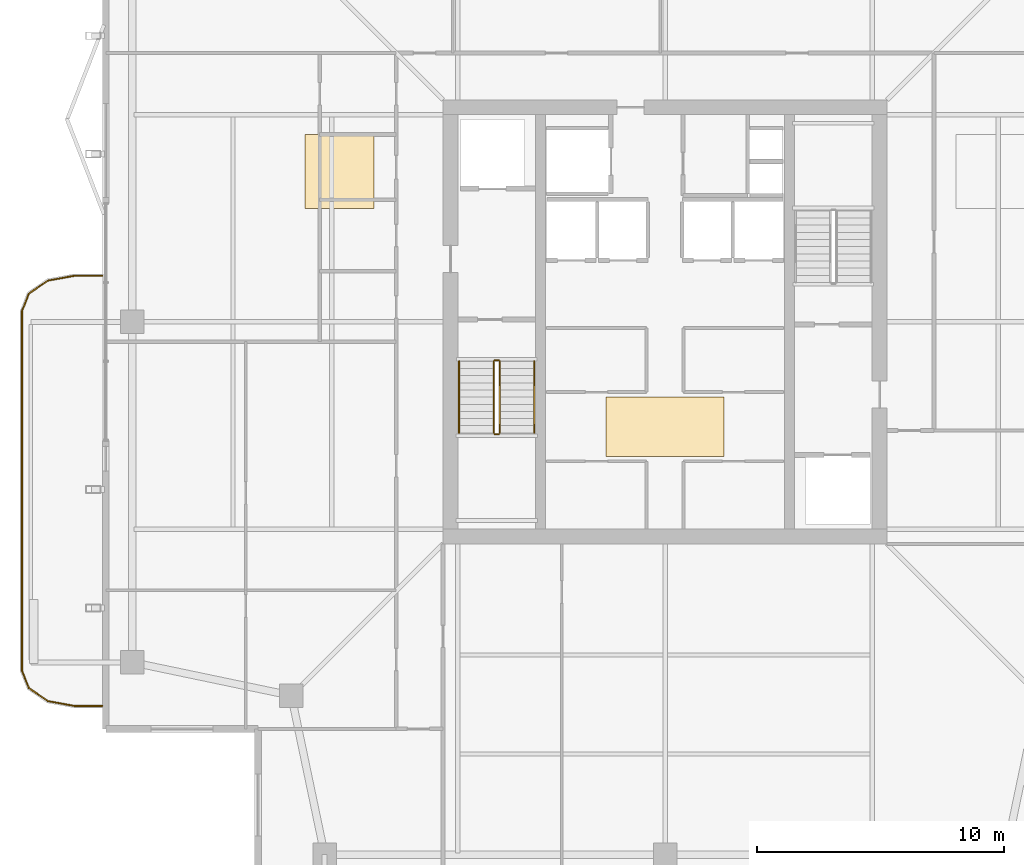
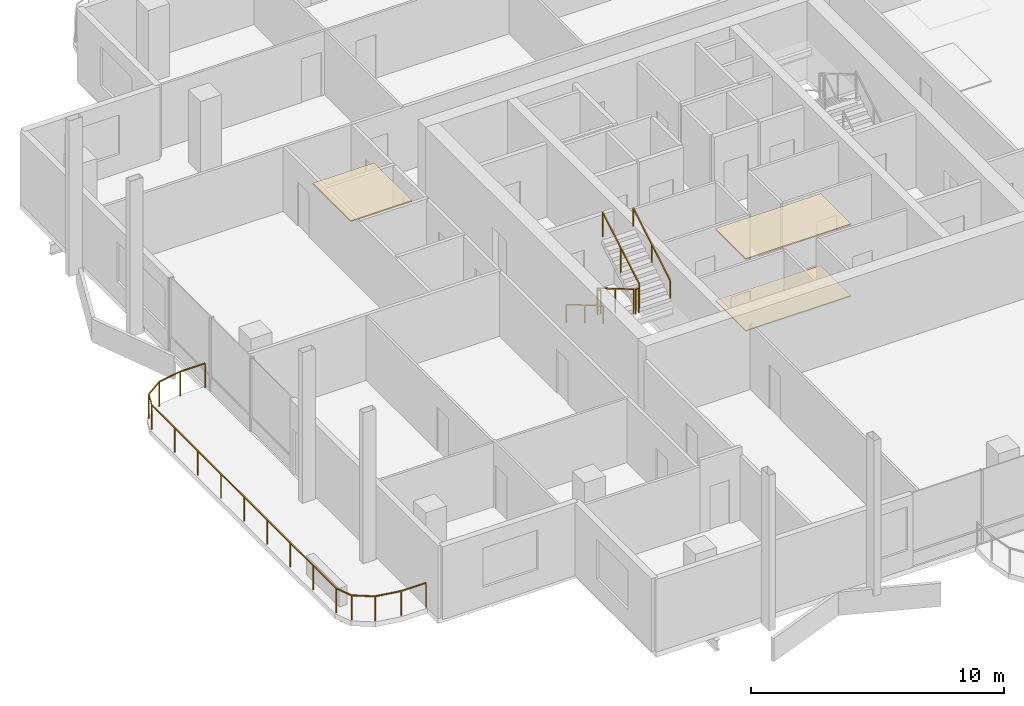
# One storey, part 18 of 20: 7 railings, 3 coverings.
"""IFC4 building model written with IfcOpenShell, lengths in metres."""

from ifc_helpers import new_model, si_unit, direction, frame, origin, origin_2d, place, context, subcontext, project, spatial, polyline, rectangle, outline, extrude, material, layer, layer_set, type_object, element, save


model = new_model("IFC4")

# Units and contexts
model_context = context("Model", 3, precision=1e-05, world=origin(), true_north=direction((0.0, 1.0)))
body_context = subcontext(model_context, "Body", "Model", "MODEL_VIEW")
ifc_project = project(units=[si_unit("LENGTHUNIT", "METRE"), si_unit("AREAUNIT", "SQUARE_METRE"), si_unit("VOLUMEUNIT", "CUBIC_METRE"), si_unit("PLANEANGLEUNIT", "RADIAN"), si_unit("MASSUNIT", "GRAM", prefix="KILO")], contexts=[model_context])

# Site, building, storey
site_placement = place(None, origin())
site = spatial("IfcSite", under=ifc_project, at=site_placement, CompositionType="ELEMENT")
building_placement = place(site_placement, origin())
building = spatial("IfcBuilding", under=site, at=building_placement, Name="Belovzor Exchange Tower", CompositionType="ELEMENT")
storey_placement = place(building_placement, frame((0.0, 0.0, 299.25)))
storey = spatial("IfcBuildingStorey", under=building, at=storey_placement, Name="L74", CompositionType="ELEMENT", Elevation=299.25)

# Railings
ifc_material_1 = material(Name="Stainless Steel Grade 304", Category="steel")
railing_type_1 = type_object("IfcRailingType", Name="Brushed Stainless Steel Stair Handrail 900", PredefinedType="HANDRAIL", material=ifc_material_1)
railing_1_placement = place(storey_placement, frame((20.449951171875, 27.199951171875, 0.17041015625)))
element("IfcRailing", 1, at=railing_1_placement, inside=storey, type_object=railing_type_1, Name="L74 ST-1 stair handrail 1", PredefinedType="HANDRAIL", context=body_context, shape_type="SweptSolid", body=[
    extrude(rectangle(XDim=0.048095703125, YDim=0.048095703125, at=origin_2d()), frame((0.0, 0.0, 0.8759765625), z_axis=(0.0, -0.86209462966, 0.506747323142), x_axis=(1.0, 0.0, 0.0)), (0.0, 0.0, 1.0), 3.36376953125),
    extrude(rectangle(XDim=0.0419921875, YDim=0.0419921875, at=origin_2d()), origin(), (0.0, 0.0, 1.0), 0.851806640625),
    extrude(rectangle(XDim=0.0419921875, YDim=0.0419921875, at=origin_2d()), frame((0.0, -1.449951171875, 0.852294921875)), (0.0, 0.0, 1.0), 0.851806640625),
    extrude(rectangle(XDim=0.0419921875, YDim=0.0419921875, at=origin_2d()), frame((0.0, -2.89990234375, 1.70458984375)), (0.0, 0.0, 1.0), 0.851806640625),
])
railing_2_placement = place(storey_placement, frame((23.5, 24.300048828125, 2.04541015625)))
element("IfcRailing", 2, at=railing_2_placement, inside=storey, type_object=railing_type_1, Name="L74 ST-1 stair handrail 2", PredefinedType="HANDRAIL", context=body_context, shape_type="SweptSolid", body=[
    extrude(rectangle(XDim=0.048095703125, YDim=0.048095703125, at=origin_2d()), frame((0.0, 0.0, 0.8759765625), z_axis=(0.0, 0.86209462966, 0.506747323142), x_axis=(-1.0, 0.0, 0.0)), (0.0, 0.0, 1.0), 3.36376953125),
    extrude(rectangle(XDim=0.0419921875, YDim=0.0419921875, at=origin_2d()), origin(), (0.0, 0.0, 1.0), 0.851806640625),
    extrude(rectangle(XDim=0.0419921875, YDim=0.0419921875, at=origin_2d()), frame((0.0, 1.449951171875, 0.852294921875)), (0.0, 0.0, 1.0), 0.851806640625),
    extrude(rectangle(XDim=0.0419921875, YDim=0.0419921875, at=origin_2d()), frame((0.0, 2.89990234375, 1.70458984375)), (0.0, 0.0, 1.0), 0.851806640625),
])
ifc_material_2 = material(Name="Stainless Steel and Laminated Safety Glass", Category="steel")
railing_type_2 = type_object("IfcRailingType", Name="Laminated Glass & Stainless Steel Balcony Balustrade 1200", PredefinedType="BALUSTRADE", material=ifc_material_2)
railing_3_placement = place(storey_placement, frame((5.989990234375, 30.669921875, 0.0)))
element("IfcRailing", 3, at=railing_3_placement, inside=storey, type_object=railing_type_2, Name="GR-1 Balcony Balustrade L74 West", PredefinedType="BALUSTRADE", context=body_context, shape_type="SweptSolid", body=[
    extrude(rectangle(XDim=0.048095703125, YDim=0.048095703125, at=origin_2d()), frame((0.0, 0.0, 1.17578125), z_axis=(-1.0, 0.0, 0.0), x_axis=(0.0, -1.0, 0.0)), (0.0, 0.0, 1.0), 1.133056640625),
    extrude(rectangle(XDim=0.048095703125, YDim=0.048095703125, at=origin_2d()), frame((-1.133056640625, 0.0, 1.17578125), z_axis=(-0.983644145941, -0.180122719713, 0.0), x_axis=(0.180122719713, -0.983644145941, 0.0)), (0.0, 0.0, 1.0), 1.09375),
    extrude(rectangle(XDim=0.048095703125, YDim=0.048095703125, at=origin_2d()), frame((-2.208984375, -0.197021484375, 1.17578125), z_axis=(-0.826614792125, -0.562768145367, 0.0), x_axis=(0.562768145367, -0.826614792125, 0.0)), (0.0, 0.0, 1.0), 0.9326171875),
    extrude(rectangle(XDim=0.048095703125, YDim=0.048095703125, at=origin_2d()), frame((-2.97998046875, -0.721923828125, 1.17578125), z_axis=(-0.365612923861, -0.930766990125, 0.0), x_axis=(0.930766990125, -0.365612923861, 0.0)), (0.0, 0.0, 1.0), 0.765869140625),
    extrude(rectangle(XDim=0.048095703125, YDim=0.048095703125, at=origin_2d()), frame((-3.260009765625, -1.434814453125, 1.17578125), z_axis=(0.0, -1.0, 0.0), x_axis=(1.0, 0.0, 0.0)), (0.0, 0.0, 1.0), 14.570068359375),
    extrude(rectangle(XDim=0.048095703125, YDim=0.048095703125, at=origin_2d()), frame((-3.260009765625, -16.0048828125, 1.17578125), z_axis=(0.365504480807, -0.930809580156, 0.0), x_axis=(0.930809580156, 0.365504480807, 0.0)), (0.0, 0.0, 1.0), 0.76611328125),
    extrude(rectangle(XDim=0.048095703125, YDim=0.048095703125, at=origin_2d()), frame((-2.97998046875, -16.718017578125, 1.17578125), z_axis=(0.826614792125, -0.562768145367, 0.0), x_axis=(0.562768145367, 0.826614792125, 0.0)), (0.0, 0.0, 1.0), 0.9326171875),
    extrude(rectangle(XDim=0.048095703125, YDim=0.048095703125, at=origin_2d()), frame((-2.208984375, -17.242919921875, 1.17578125), z_axis=(0.983644145941, -0.180122719713, 0.0), x_axis=(0.180122719713, 0.983644145941, 0.0)), (0.0, 0.0, 1.0), 1.09375),
    extrude(rectangle(XDim=0.048095703125, YDim=0.048095703125, at=origin_2d()), frame((-1.133056640625, -17.43994140625, 1.17578125), z_axis=(1.0, 0.0, 0.0), x_axis=(0.0, 1.0, 0.0)), (0.0, 0.0, 1.0), 1.133056640625),
    extrude(rectangle(XDim=0.0419921875, YDim=0.0419921875, at=origin_2d()), origin(), (0.0, 0.0, 1.0), 1.15185546875),
    extrude(rectangle(XDim=0.0419921875, YDim=0.0419921875, at=origin_2d()), frame((-1.133056640625, 0.0, 0.0)), (0.0, 0.0, 1.0), 1.15185546875),
    extrude(rectangle(XDim=0.0419921875, YDim=0.0419921875, at=origin_2d()), frame((-2.208984375, -0.197021484375, 0.0)), (0.0, 0.0, 1.0), 1.15185546875),
    extrude(rectangle(XDim=0.0419921875, YDim=0.0419921875, at=origin_2d()), frame((-2.97998046875, -0.721923828125, 0.0)), (0.0, 0.0, 1.0), 1.15185546875),
    extrude(rectangle(XDim=0.0419921875, YDim=0.0419921875, at=origin_2d()), frame((-3.260009765625, -1.434814453125, 0.0)), (0.0, 0.0, 1.0), 1.15185546875),
    extrude(rectangle(XDim=0.0419921875, YDim=0.0419921875, at=origin_2d()), frame((-3.260009765625, -3.256103515625, 0.0)), (0.0, 0.0, 1.0), 1.15185546875),
    extrude(rectangle(XDim=0.0419921875, YDim=0.0419921875, at=origin_2d()), frame((-3.260009765625, -5.077392578125, 0.0)), (0.0, 0.0, 1.0), 1.15185546875),
    extrude(rectangle(XDim=0.0419921875, YDim=0.0419921875, at=origin_2d()), frame((-3.260009765625, -6.898681640625, 0.0)), (0.0, 0.0, 1.0), 1.15185546875),
    extrude(rectangle(XDim=0.0419921875, YDim=0.0419921875, at=origin_2d()), frame((-3.260009765625, -8.7197265625, 0.0)), (0.0, 0.0, 1.0), 1.15185546875),
    extrude(rectangle(XDim=0.0419921875, YDim=0.0419921875, at=origin_2d()), frame((-3.260009765625, -10.541015625, 0.0)), (0.0, 0.0, 1.0), 1.15185546875),
    extrude(rectangle(XDim=0.0419921875, YDim=0.0419921875, at=origin_2d()), frame((-3.260009765625, -12.3623046875, 0.0)), (0.0, 0.0, 1.0), 1.15185546875),
    extrude(rectangle(XDim=0.0419921875, YDim=0.0419921875, at=origin_2d()), frame((-3.260009765625, -14.18359375, 0.0)), (0.0, 0.0, 1.0), 1.15185546875),
    extrude(rectangle(XDim=0.0419921875, YDim=0.0419921875, at=origin_2d()), frame((-3.260009765625, -16.0048828125, 0.0)), (0.0, 0.0, 1.0), 1.15185546875),
    extrude(rectangle(XDim=0.0419921875, YDim=0.0419921875, at=origin_2d()), frame((-2.97998046875, -16.718017578125, 0.0)), (0.0, 0.0, 1.0), 1.15185546875),
    extrude(rectangle(XDim=0.0419921875, YDim=0.0419921875, at=origin_2d()), frame((-2.208984375, -17.242919921875, 0.0)), (0.0, 0.0, 1.0), 1.15185546875),
    extrude(rectangle(XDim=0.0419921875, YDim=0.0419921875, at=origin_2d()), frame((-1.133056640625, -17.43994140625, 0.0)), (0.0, 0.0, 1.0), 1.15185546875),
    extrude(rectangle(XDim=0.0419921875, YDim=0.0419921875, at=origin_2d()), frame((0.0, -17.43994140625, 0.0)), (0.0, 0.0, 1.0), 1.15185546875),
])
ifc_material_3 = material(Name="Steel S355", Category="steel")
railing_type_3 = type_object("IfcRailingType", Name="Painted Steel Stairwell Guardrail 1200", PredefinedType="GUARDRAIL", material=ifc_material_3)
railing_4_placement = place(storey_placement, frame((21.85009765625, 27.199951171875, 0.17041015625)))
element("IfcRailing", 4, at=railing_4_placement, inside=storey, type_object=railing_type_3, Name="L74 ST-1 stair guard 1", PredefinedType="GUARDRAIL", context=body_context, shape_type="SweptSolid", body=[
    extrude(rectangle(XDim=0.048095703125, YDim=0.048095703125, at=origin_2d()), frame((0.0, 0.0, 1.17578125), z_axis=(0.0, -0.86209462966, 0.506747323142), x_axis=(1.0, 0.0, 0.0)), (0.0, 0.0, 1.0), 3.36376953125),
    extrude(rectangle(XDim=0.0419921875, YDim=0.0419921875, at=origin_2d()), origin(), (0.0, 0.0, 1.0), 1.15185546875),
    extrude(rectangle(XDim=0.0419921875, YDim=0.0419921875, at=origin_2d()), frame((0.0, -1.449951171875, 0.852294921875)), (0.0, 0.0, 1.0), 1.15185546875),
    extrude(rectangle(XDim=0.0419921875, YDim=0.0419921875, at=origin_2d()), frame((0.0, -2.89990234375, 1.70458984375)), (0.0, 0.0, 1.0), 1.15185546875),
])
railing_5_placement = place(storey_placement, frame((21.89990234375, 24.25, 1.875)))
element("IfcRailing", 5, at=railing_5_placement, inside=storey, type_object=railing_type_3, Name="L74 ST-1 stair guard 2", PredefinedType="GUARDRAIL", context=body_context, shape_type="SweptSolid", body=[
    extrude(rectangle(XDim=0.048095703125, YDim=0.048095703125, at=origin_2d()), frame((0.0, 0.0, 1.17578125), z_axis=(1.0, 0.0, 0.0), x_axis=(0.0, 1.0, 0.0)), (0.0, 0.0, 1.0), 0.150146484375),
    extrude(rectangle(XDim=0.0419921875, YDim=0.0419921875, at=origin_2d()), origin(), (0.0, 0.0, 1.0), 1.15185546875),
    extrude(rectangle(XDim=0.0419921875, YDim=0.0419921875, at=origin_2d()), frame((0.150146484375, 0.0, 0.0)), (0.0, 0.0, 1.0), 1.15185546875),
])
railing_6_placement = place(storey_placement, frame((22.10009765625, 24.300048828125, 2.04541015625)))
element("IfcRailing", 6, at=railing_6_placement, inside=storey, type_object=railing_type_3, Name="L74 ST-1 stair guard 3", PredefinedType="GUARDRAIL", context=body_context, shape_type="SweptSolid", body=[
    extrude(rectangle(XDim=0.048095703125, YDim=0.048095703125, at=origin_2d()), frame((0.0, 0.0, 1.17578125), z_axis=(0.0, 0.86209462966, 0.506747323142), x_axis=(-1.0, 0.0, 0.0)), (0.0, 0.0, 1.0), 3.36376953125),
    extrude(rectangle(XDim=0.0419921875, YDim=0.0419921875, at=origin_2d()), origin(), (0.0, 0.0, 1.0), 1.15185546875),
    extrude(rectangle(XDim=0.0419921875, YDim=0.0419921875, at=origin_2d()), frame((0.0, 1.449951171875, 0.852294921875)), (0.0, 0.0, 1.0), 1.15185546875),
    extrude(rectangle(XDim=0.0419921875, YDim=0.0419921875, at=origin_2d()), frame((0.0, 2.89990234375, 1.70458984375)), (0.0, 0.0, 1.0), 1.15185546875),
])
railing_7_placement = place(storey_placement, frame((21.89990234375, 27.25, 0.0)))
element("IfcRailing", 7, at=railing_7_placement, inside=storey, type_object=railing_type_3, Name="L74 ST-1 stair guard 4", PredefinedType="GUARDRAIL", context=body_context, shape_type="SweptSolid", body=[
    extrude(rectangle(XDim=0.048095703125, YDim=0.048095703125, at=origin_2d()), frame((0.0, 0.0, 1.17578125), z_axis=(1.0, 0.0, 0.0), x_axis=(0.0, 1.0, 0.0)), (0.0, 0.0, 1.0), 0.150146484375),
    extrude(rectangle(XDim=0.0419921875, YDim=0.0419921875, at=origin_2d()), origin(), (0.0, 0.0, 1.0), 1.15185546875),
    extrude(rectangle(XDim=0.0419921875, YDim=0.0419921875, at=origin_2d()), frame((0.150146484375, 0.0, 0.0)), (0.0, 0.0, 1.0), 1.15185546875),
])

# Coverings
ifc_material_4 = material(Name="Perforated Powder-Coated Aluminium", Category="aluminium")
ifc_layer_1 = layer(ifc_material_4, 0.06005859375)
ifc_layer_set_1 = layer_set([ifc_layer_1], Name="Perforated Powder-Coated Aluminium")
covering_type_1 = type_object("IfcCoveringType", Name="Perforated Acoustic Metal Tile Suspended Ceiling 60", PredefinedType="CEILING", material=ifc_layer_set_1)
covering_1_placement = place(storey_placement, frame((0.0, 0.0, 3.449951171875)))
element("IfcCovering", 8, at=covering_1_placement, inside=storey, type_object=covering_type_1, Name="CLG-AC60 Suspended Ceiling CLG-L74-LOB", PredefinedType="CEILING", context=body_context, shape_type="SweptSolid", body=[
    extrude(outline(polyline([(26.39990234375, 23.35009765625), (31.199951171875, 23.35009765625), (31.199951171875, 25.75), (26.39990234375, 25.75), (26.39990234375, 23.35009765625)])), origin(), (0.0, 0.0, 1.0), 0.06005859375),
])
covering_2_placement = place(storey_placement, frame((0.0, 0.0, 3.449951171875)))
element("IfcCovering", 9, at=covering_2_placement, inside=storey, type_object=covering_type_1, Name="CLG-AC60 Suspended Ceiling CLG-L74-Z3", PredefinedType="CEILING", context=body_context, shape_type="SweptSolid", body=[
    extrude(outline(polyline([(14.199951171875, 33.39990234375), (17.0, 33.39990234375), (17.0, 36.39990234375), (14.199951171875, 36.39990234375), (14.199951171875, 33.39990234375)])), origin(), (0.0, 0.0, 1.0), 0.06005859375),
])
ifc_material_5 = material(Name="Polished Natural Granite Tile", Category="masonry")
ifc_layer_2 = layer(ifc_material_5, 0.050048828125)
ifc_layer_set_2 = layer_set([ifc_layer_2], Name="Polished Natural Granite Tile")
covering_type_2 = type_object("IfcCoveringType", Name="Polished Karelian Granite & Raised Access Floor Finish 50", PredefinedType="FLOORING", material=ifc_layer_set_2)
covering_3_placement = place(storey_placement, origin())
element("IfcCovering", 10, at=covering_3_placement, inside=storey, type_object=covering_type_2, Name="FLR-GR50 Floor Finish FLR-L74-LOB", PredefinedType="FLOORING", context=body_context, shape_type="SweptSolid", body=[
    extrude(outline(polyline([(26.39990234375, 23.35009765625), (31.199951171875, 23.35009765625), (31.199951171875, 25.75), (26.39990234375, 25.75), (26.39990234375, 23.35009765625)])), origin(), (0.0, 0.0, 1.0), 0.050048828125),
])

save(model, "model.ifc")
